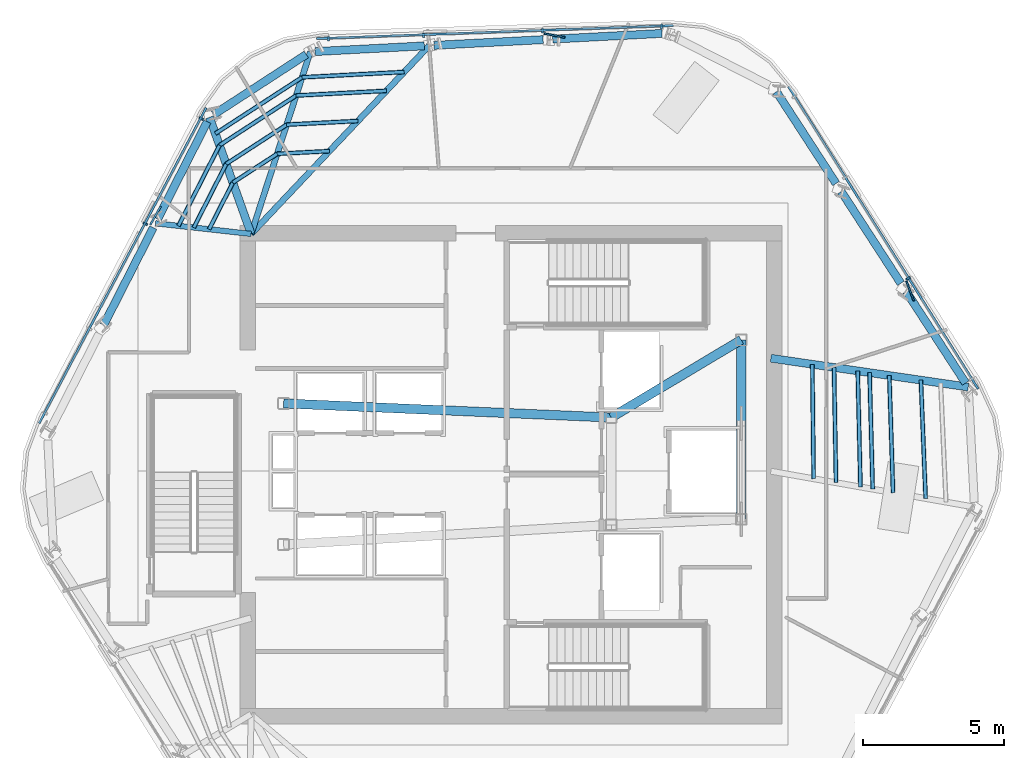
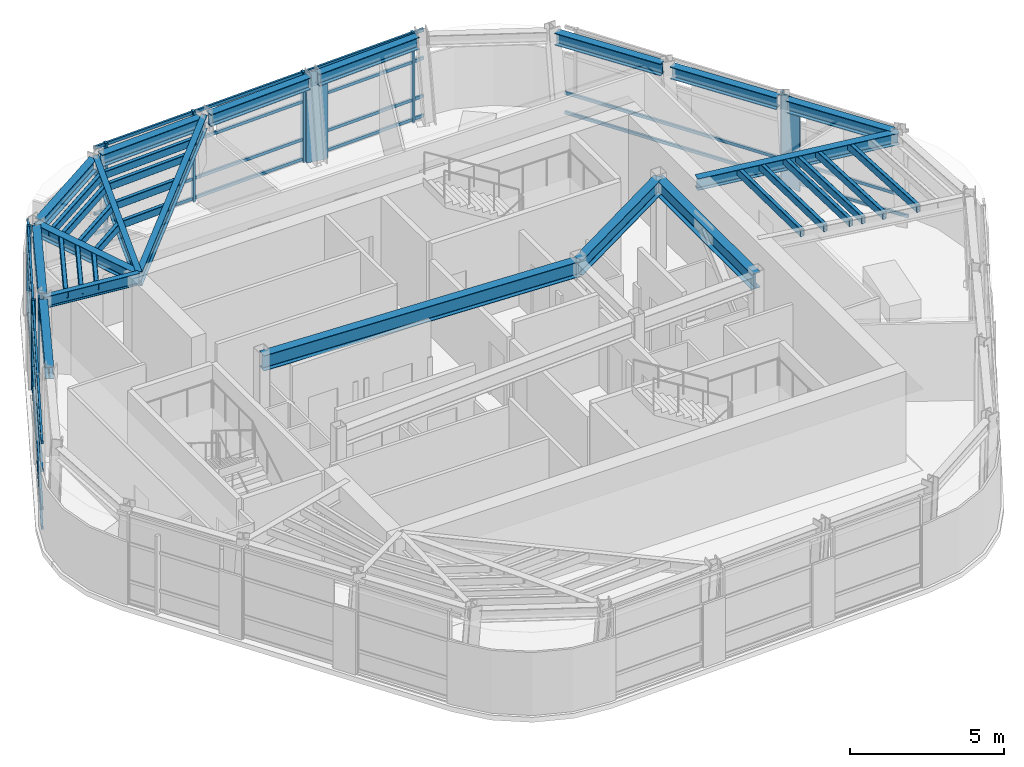
# One storey, part 4 of 13: 37 members, 17 beams, 3 elements without a shape of their own.
"""IFC4 building model written with IfcOpenShell, lengths in metres."""

from ifc_helpers import new_model, si_unit, direction, frame, origin, origin_2d, place, context, subcontext, project, spatial, rectangle, hollow_rectangle, i_section, extrude, material, layer, layer_set, material_profile, profile_set, type_object, element, aggregate, save


model = new_model("IFC4")

# Units and contexts
model_context = context("Model", 3, precision=1e-05, world=origin(), true_north=direction((0.0, 1.0)))
body_context = subcontext(model_context, "Body", "Model", "MODEL_VIEW")
ifc_project = project(units=[si_unit("LENGTHUNIT", "METRE"), si_unit("AREAUNIT", "SQUARE_METRE"), si_unit("VOLUMEUNIT", "CUBIC_METRE"), si_unit("PLANEANGLEUNIT", "RADIAN"), si_unit("MASSUNIT", "GRAM", prefix="KILO")], contexts=[model_context])

# Site, building, storey
site_placement = place(None, origin())
site = spatial("IfcSite", under=ifc_project, at=site_placement, CompositionType="ELEMENT")
building_placement = place(site_placement, origin())
building = spatial("IfcBuilding", under=site, at=building_placement, Name="Valkerne Bourse Tower", CompositionType="ELEMENT")
storey_placement = place(building_placement, frame((0.0, 0.0, 292.60009765625)))
storey = spatial("IfcBuildingStorey", under=building, at=storey_placement, Name="L74", CompositionType="ELEMENT", Elevation=292.60009765625)

# Beams
ifc_material_1 = material(Name="Steel ASTM A992", Category="steel")
ifc_material_profile_1 = material_profile(ifc_material_1, i_section(OverallWidth=0.284423828125, OverallDepth=0.47509765625, WebThickness=0.014892578125, FlangeThickness=0.02392578125, FilletRadius=0.017822265625, at=origin_2d()), Name="W18X106")
ifc_profile_set_1 = profile_set([ifc_material_profile_1], Name="Steel ASTM A992")
beam_type_1 = type_object("IfcBeamType", Name="BM-W18X106", PredefinedType="BEAM", material=ifc_profile_set_1)
beam_1_placement = place(storey_placement, frame((52.14404296875, 42.499755859375, 3.3623046875), z_axis=(-0.998629475435, -0.052337088123, 0.0), x_axis=(0.052337088123, -0.998629475435, 0.0)))
element("IfcBeam", 1, at=beam_1_placement, inside=storey, type_object=beam_type_1, Name="L74 Hexagonal Spandrel Ring Beam 00", PredefinedType="BEAM", context=body_context, shape_type="SweptSolid", body=[
    extrude(i_section(OverallWidth=0.284423828125, OverallDepth=0.47509765625, WebThickness=0.014892578125, FlangeThickness=0.02392578125, FilletRadius=0.017822265625, at=origin_2d()), origin(), (0.0, 0.0, 1.0), 3.871826171875),
])
for number, where, z_axis, x_axis, name in (
    (2, (47.93798828125, 42.279296875, 3.3623046875), (-0.998629648141, -0.052333792648, 0.0), (0.052333792648, -0.998629648141, 0.0), "L74 Hexagonal Spandrel Ring Beam 01"),
    (3, (43.731689453125, 42.058837890625, 3.3623046875), (-0.998629648141, -0.052333792648, 0.0), (0.052333792648, -0.998629648141, 0.0), "L74 Hexagonal Spandrel Ring Beam 02"),
):
    element("IfcBeam", number, at=place(storey_placement, frame(where, z_axis=z_axis, x_axis=x_axis)), inside=storey, type_object=beam_type_1, Name=name, PredefinedType="BEAM", context=body_context, shape_type="SweptSolid", body=[
        extrude(i_section(OverallWidth=0.284423828125, OverallDepth=0.47509765625, WebThickness=0.014892578125, FlangeThickness=0.02392578125, FilletRadius=0.017822265625, at=origin_2d()), origin(), (0.0, 0.0, 1.0), 3.8720703125),
    ])
beam_2_placement = place(storey_placement, frame((39.552490234375, 41.754638671875, 3.3623046875), z_axis=(-0.838657242027, -0.54465955458, 0.0), x_axis=(0.54465955458, -0.838657242027, 0.0)))
element("IfcBeam", 4, at=beam_2_placement, inside=storey, type_object=beam_type_1, Name="L74 Hexagonal Spandrel Ring Beam 03", PredefinedType="BEAM", context=body_context, shape_type="SweptSolid", body=[
    extrude(i_section(OverallWidth=0.284423828125, OverallDepth=0.47509765625, WebThickness=0.014892578125, FlangeThickness=0.02392578125, FilletRadius=0.017822265625, at=origin_2d()), origin(), (0.0, 0.0, 1.0), 3.91552734375),
])
for number, where, z_axis, x_axis, name in (
    (5, (36.048828125, 39.3779296875, 3.3623046875), (-0.453985287381, -0.891009179998, 0.0), (0.891009179998, -0.453985287381, 0.0), "L74 Hexagonal Spandrel Ring Beam 04"),
    (6, (34.13671875, 35.625, 3.3623046875), (-0.453985287381, -0.891009179998, 0.0), (0.891009179998, -0.453985287381, 0.0), "L74 Hexagonal Spandrel Ring Beam 05"),
    (7, (62.895263671875, 30.12158203125, 3.3623046875), (-0.544649217695, 0.838663955148, 0.0), (-0.838663955148, -0.544649217695, 0.0), "L74 Hexagonal Spandrel Ring Beam 20"),
    (8, (60.601318359375, 33.654296875, 3.3623046875), (-0.544693563983, 0.838635153899, 0.0), (-0.838635153899, -0.544693563983, 0.0), "L74 Hexagonal Spandrel Ring Beam 21"),
    (9, (58.30712890625, 37.186767578125, 3.3623046875), (-0.544649217695, 0.838663955148, 0.0), (-0.838663955148, -0.544649217695, 0.0), "L74 Hexagonal Spandrel Ring Beam 22"),
):
    element("IfcBeam", number, at=place(storey_placement, frame(where, z_axis=z_axis, x_axis=x_axis)), inside=storey, type_object=beam_type_1, Name=name, PredefinedType="BEAM", context=body_context, shape_type="SweptSolid", body=[
        extrude(i_section(OverallWidth=0.284423828125, OverallDepth=0.47509765625, WebThickness=0.014892578125, FlangeThickness=0.02392578125, FilletRadius=0.017822265625, at=origin_2d()), origin(), (0.0, 0.0, 1.0), 3.8720703125),
    ])
ifc_material_profile_2 = material_profile(ifc_material_1, i_section(OverallWidth=0.1904296875, OverallDepth=0.457275390625, WebThickness=0.009033203125, FlangeThickness=0.014404296875, FilletRadius=0.01513671875, at=origin_2d()), Name="W18X50")
ifc_profile_set_2 = profile_set([ifc_material_profile_2], Name="Steel ASTM A992")
beam_type_2 = type_object("IfcBeamType", Name="BM-W18X50", PredefinedType="JOIST", material=ifc_profile_set_2)
beam_3_placement = place(storey_placement, frame((34.2138671875, 35.776611328125, 3.371337890625), z_axis=(0.993868870166, -0.110565224706, 0.0), x_axis=(0.110565224706, 0.993868870166, 0.0)))
element("IfcBeam", 10, at=beam_3_placement, inside=storey, type_object=beam_type_2, Name="L74 Radial Composite Floor Beam 05", PredefinedType="JOIST", context=body_context, shape_type="SweptSolid", body=[
    extrude(i_section(OverallWidth=0.1904296875, OverallDepth=0.457275390625, WebThickness=0.009033203125, FlangeThickness=0.014404296875, FilletRadius=0.01513671875, at=origin_2d()), origin(), (0.0, 0.0, 1.0), 3.4072265625),
])
ifc_material_profile_3 = material_profile(ifc_material_1, i_section(OverallWidth=0.279296875, OverallDepth=0.46240234375, WebThickness=0.0107421875, FlangeThickness=0.017333984375, FilletRadius=0.017822265625, at=origin_2d()), Name="W18X76")
ifc_profile_set_3 = profile_set([ifc_material_profile_3], Name="Steel ASTM A992")
beam_type_3 = type_object("IfcBeamType", Name="BM-W18X76", PredefinedType="BEAM", material=ifc_profile_set_3)
beam_4_placement = place(storey_placement, frame((36.126220703125, 39.529541015625, 3.36865234375), z_axis=(0.336135339547, -0.941813693629, 0.0), x_axis=(0.941813693629, 0.336135339547, 0.0)))
element("IfcBeam", 11, at=beam_4_placement, inside=storey, type_object=beam_type_3, Name="L74 Radial Composite Floor Beam 04", PredefinedType="BEAM", context=body_context, shape_type="SweptSolid", body=[
    extrude(i_section(OverallWidth=0.279296875, OverallDepth=0.46240234375, WebThickness=0.0107421875, FlangeThickness=0.017333984375, FilletRadius=0.017822265625, at=origin_2d()), origin(), (0.0, 0.0, 1.0), 4.384765625),
])
beam_5_placement = place(storey_placement, frame((62.98779296875, 29.97900390625, 3.36865234375), z_axis=(-0.989493657062, 0.144576286557, 0.0), x_axis=(-0.144576286557, -0.989493657062, 0.0)))
element("IfcBeam", 12, at=beam_5_placement, inside=storey, type_object=beam_type_3, Name="L74 Radial Composite Floor Beam 20", PredefinedType="BEAM", context=body_context, shape_type="SweptSolid", body=[
    extrude(i_section(OverallWidth=0.279296875, OverallDepth=0.46240234375, WebThickness=0.0107421875, FlangeThickness=0.017333984375, FilletRadius=0.017822265625, at=origin_2d()), origin(), (0.0, 0.0, 1.0), 7.06201171875),
])
ifc_material_profile_4 = material_profile(ifc_material_1, i_section(OverallWidth=0.209228515625, OverallDepth=0.533447265625, WebThickness=0.01025390625, FlangeThickness=0.015625, FilletRadius=0.017822265625, at=origin_2d()), Name="W21X62")
ifc_profile_set_4 = profile_set([ifc_material_profile_4], Name="Steel ASTM A992")
beam_type_4 = type_object("IfcBeamType", Name="BM-W21X62", PredefinedType="JOIST", material=ifc_profile_set_4)
beam_6_placement = place(storey_placement, frame((39.6953125, 41.847412109375, 3.333251953125), z_axis=(-0.309055943338, -0.951043860128, 0.0), x_axis=(0.951043860128, -0.309055943338, 0.0)))
element("IfcBeam", 13, at=beam_6_placement, inside=storey, type_object=beam_type_4, Name="L74 Radial Composite Floor Beam 03", PredefinedType="JOIST", context=body_context, shape_type="SweptSolid", body=[
    extrude(i_section(OverallWidth=0.209228515625, OverallDepth=0.533447265625, WebThickness=0.01025390625, FlangeThickness=0.015625, FilletRadius=0.017822265625, at=origin_2d()), origin(), (0.0, 0.0, 1.0), 6.779296875),
])
ifc_material_profile_5 = material_profile(ifc_material_1, i_section(OverallWidth=0.2138671875, OverallDepth=0.548583984375, WebThickness=0.0146484375, FlangeThickness=0.023681640625, FilletRadius=0.017822265625, at=origin_2d()), Name="W21X93")
ifc_profile_set_5 = profile_set([ifc_material_profile_5], Name="Steel ASTM A992")
beam_type_5 = type_object("IfcBeamType", Name="BM-W21X93", PredefinedType="BEAM", material=ifc_profile_set_5)
beam_7_placement = place(storey_placement, frame((43.9013671875, 42.067626953125, 3.32568359375), z_axis=(-0.686852456534, -0.726796878745, 0.0), x_axis=(0.726796878745, -0.686852456534, 0.0)))
element("IfcBeam", 14, at=beam_7_placement, inside=storey, type_object=beam_type_5, Name="L74 Radial Composite Floor Beam 02", PredefinedType="BEAM", context=body_context, shape_type="SweptSolid", body=[
    extrude(i_section(OverallWidth=0.2138671875, OverallDepth=0.548583984375, WebThickness=0.0146484375, FlangeThickness=0.023681640625, FilletRadius=0.017822265625, at=origin_2d()), origin(), (0.0, 0.0, 1.0), 9.174072265625),
])
ifc_material_profile_6 = material_profile(ifc_material_1, i_section(OverallWidth=0.3251953125, OverallDepth=0.612060546875, WebThickness=0.0126953125, FlangeThickness=0.01904296875, FilletRadius=0.020263671875, at=origin_2d()), Name="W24X104")
ifc_profile_set_6 = profile_set([ifc_material_profile_6], Name="Steel ASTM A992")
beam_type_6 = type_object("IfcBeamType", Name="BM-W24X104", PredefinedType="BEAM", material=ifc_profile_set_6)
beam_8_placement = place(storey_placement, frame((50.35009765625, 28.89990234375, 3.293701171875), z_axis=(0.858307823492, 0.513135148019, 0.0), x_axis=(-0.513135148019, 0.858307823492, 0.0)))
element("IfcBeam", 15, at=beam_8_placement, inside=storey, type_object=beam_type_6, Name="L74 Core Frame Girder CG-NE", PredefinedType="BEAM", context=body_context, shape_type="SweptSolid", body=[
    extrude(i_section(OverallWidth=0.3251953125, OverallDepth=0.612060546875, WebThickness=0.0126953125, FlangeThickness=0.01904296875, FilletRadius=0.020263671875, at=origin_2d()), origin(), (0.0, 0.0, 1.0), 5.359130859375),
])
beam_9_placement = place(storey_placement, frame((54.949951171875, 25.300048828125, 3.293701171875), z_axis=(0.0, 1.0, 0.0), x_axis=(-1.0, 0.0, 0.0)))
element("IfcBeam", 16, at=beam_9_placement, inside=storey, type_object=beam_type_6, Name="L74 Core Frame Girder CG-EE", PredefinedType="BEAM", context=body_context, shape_type="SweptSolid", body=[
    extrude(i_section(OverallWidth=0.3251953125, OverallDepth=0.612060546875, WebThickness=0.0126953125, FlangeThickness=0.01904296875, FilletRadius=0.020263671875, at=origin_2d()), origin(), (0.0, 0.0, 1.0), 6.349853515625),
])
beam_10_placement = place(storey_placement, frame((38.75, 29.39990234375, 3.293701171875), z_axis=(0.999072354402, -0.043063101019, 0.0), x_axis=(0.043063101019, 0.999072354402, 0.0)))
element("IfcBeam", 17, at=beam_10_placement, inside=storey, type_object=beam_type_6, Name="L74 Core Frame Girder CG-NW", PredefinedType="BEAM", context=body_context, shape_type="SweptSolid", body=[
    extrude(i_section(OverallWidth=0.3251953125, OverallDepth=0.612060546875, WebThickness=0.0126953125, FlangeThickness=0.01904296875, FilletRadius=0.020263671875, at=origin_2d()), origin(), (0.0, 0.0, 1.0), 11.61083984375),
])

# Curtain wall, members
ifc_material_2 = material(Name="Aluminium AA 6063-T6", Category="aluminium")
ifc_layer = layer(ifc_material_2, 0.2451171875)
ifc_layer_set = layer_set([ifc_layer], Name="Aluminium AA 6063-T6")
curtain_wall_type = type_object("IfcCurtainWallType", Name="CW-05", PredefinedType="NOTDEFINED", material=ifc_layer_set)
curtain_wall_1_placement = place(storey_placement, origin())
curtain_wall_1 = element("IfcCurtainWall", 18, at=curtain_wall_1_placement, inside=storey, type_object=curtain_wall_type, Name="L74 Hexagonal Stick Curtain Wall Face 1", PredefinedType="NOTDEFINED")
ifc_material_profile_7 = material_profile(ifc_material_2, rectangle(XDim=0.074951171875, YDim=0.159912109375, at=origin_2d()), Name="CWM-75X160")
ifc_profile_set_7 = profile_set([ifc_material_profile_7], Name="Aluminium AA 6063-T6")
member_type_1 = type_object("IfcMemberType", Name="CW-MUL-160X75", PredefinedType="MULLION", material=ifc_profile_set_7)
member_1_placement = place(storey_placement, frame((52.12451171875, 42.744384765625, 0.0), z_axis=(0.0, 0.0, 1.0), x_axis=(-0.999327909938, -0.036656901385, 0.0)))
member_1 = element("IfcMember", 19, at=member_1_placement, type_object=member_type_1, Name="CW-L74-F1 Jamb Mullion 00A", PredefinedType="MULLION", context=body_context, shape_type="SweptSolid", body=[
    extrude(rectangle(XDim=0.074951171875, YDim=0.159912109375, at=origin_2d()), origin(), (0.0, 0.0, 1.0), 3.599853515625),
])
member_2_placement = place(storey_placement, frame((47.915283203125, 42.590087890625, 0.0), z_axis=(0.0, 0.0, 1.0), x_axis=(-0.999328747501, -0.0366340609, 0.0)))
member_2 = element("IfcMember", 20, at=member_2_placement, type_object=member_type_1, Name="CW-L74-F1 Jamb Mullion 01A", PredefinedType="MULLION", context=body_context, shape_type="SweptSolid", body=[
    extrude(rectangle(XDim=0.074951171875, YDim=0.159912109375, at=origin_2d()), origin(), (0.0, 0.0, 1.0), 3.599853515625),
])
member_3_placement = place(storey_placement, frame((43.706298828125, 42.435791015625, 0.0), z_axis=(0.0, 0.0, 1.0), x_axis=(-0.999327909938, -0.036656901385, 0.0)))
member_3 = element("IfcMember", 21, at=member_3_placement, type_object=member_type_1, Name="CW-L74-F1 Jamb Mullion 02A", PredefinedType="MULLION", context=body_context, shape_type="SweptSolid", body=[
    extrude(rectangle(XDim=0.074951171875, YDim=0.159912109375, at=origin_2d()), origin(), (0.0, 0.0, 1.0), 3.599853515625),
])
member_4_placement = place(storey_placement, frame((40.336669921875, 42.312255859375, 0.0), z_axis=(0.0, 0.0, 1.0), x_axis=(-0.999327909938, -0.036656901385, 0.0)))
member_4 = element("IfcMember", 22, at=member_4_placement, type_object=member_type_1, Name="CW-L74-F1 Jamb Mullion 02B", PredefinedType="MULLION", context=body_context, shape_type="SweptSolid", body=[
    extrude(rectangle(XDim=0.074951171875, YDim=0.159912109375, at=origin_2d()), origin(), (0.0, 0.0, 1.0), 3.599853515625),
])

curtain_wall_2_placement = place(storey_placement, origin())
curtain_wall_2 = element("IfcCurtainWall", 23, at=curtain_wall_2_placement, inside=storey, type_object=curtain_wall_type, Name="L74 Hexagonal Stick Curtain Wall Face 2", PredefinedType="NOTDEFINED")
member_5_placement = place(storey_placement, frame((35.827392578125, 39.4833984375, 0.0), z_axis=(0.0, 0.0, 1.0), x_axis=(-0.467946624174, -0.883756729493, 0.0)))
member_5 = element("IfcMember", 24, at=member_5_placement, type_object=member_type_1, Name="CW-L74-F2 Jamb Mullion 00A", PredefinedType="MULLION", context=body_context, shape_type="SweptSolid", body=[
    extrude(rectangle(XDim=0.074951171875, YDim=0.159912109375, at=origin_2d()), origin(), (0.0, 0.0, 1.0), 3.599853515625),
])
member_6_placement = place(storey_placement, frame((33.856201171875, 35.760986328125, 0.0), z_axis=(0.0, 0.0, 1.0), x_axis=(-0.467918263062, -0.883771746037, 0.0)))
member_6 = element("IfcMember", 25, at=member_6_placement, type_object=member_type_1, Name="CW-L74-F2 Jamb Mullion 01A", PredefinedType="MULLION", context=body_context, shape_type="SweptSolid", body=[
    extrude(rectangle(XDim=0.074951171875, YDim=0.159912109375, at=origin_2d()), origin(), (0.0, 0.0, 1.0), 3.599853515625),
])

# Curtain wall, member
curtain_wall_3_placement = place(storey_placement, origin())
curtain_wall_3 = element("IfcCurtainWall", 26, at=curtain_wall_3_placement, inside=storey, type_object=curtain_wall_type, Name="L74 Hexagonal Stick Curtain Wall Face 6", PredefinedType="NOTDEFINED")
member_7_placement = place(storey_placement, frame((60.859130859375, 33.8291015625, 0.0), z_axis=(0.0, 0.0, 1.0), x_axis=(-0.531398207984, 0.847122154445, 0.0)))
member_7 = element("IfcMember", 27, at=member_7_placement, type_object=member_type_1, Name="CW-L74-F6 Jamb Mullion 01A", PredefinedType="MULLION", context=body_context, shape_type="SweptSolid", body=[
    extrude(rectangle(XDim=0.074951171875, YDim=0.159912109375, at=origin_2d()), origin(), (0.0, 0.0, 1.0), 3.599853515625),
])

# Member
ifc_material_profile_8 = material_profile(ifc_material_2, rectangle(XDim=0.074951171875, YDim=0.1201171875, at=origin_2d()), Name="CWT-75X120")
ifc_profile_set_8 = profile_set([ifc_material_profile_8], Name="Aluminium AA 6063-T6")
member_type_2 = type_object("IfcMemberType", Name="CW-TRN-120X75", PredefinedType="USERDEFINED", material=ifc_profile_set_8)
member_8_placement = place(storey_placement, frame((52.543701171875, 42.77978515625, 0.119873046875), z_axis=(-0.999328815608, -0.036632202973, 0.0), x_axis=(0.036632202973, -0.999328815608, 0.0)))
member_8 = element("IfcMember", 28, at=member_8_placement, type_object=member_type_2, Name="CW-L74-F1 Continuous Face Transom 1", ObjectType="TRANSOM", PredefinedType="USERDEFINED", context=body_context, shape_type="SweptSolid", body=[
    extrude(rectangle(XDim=0.074951171875, YDim=0.1201171875, at=origin_2d()), origin(), (0.0, 0.0, 1.0), 12.63623046875),
])

member_9_placement = place(storey_placement, frame((52.543701171875, 42.77978515625, 0.89990234375), z_axis=(-0.999328815608, -0.036632202973, 0.0), x_axis=(0.036632202973, -0.999328815608, 0.0)))
member_9 = element("IfcMember", 29, at=member_9_placement, type_object=member_type_2, Name="CW-L74-F1 Continuous Face Transom 2", ObjectType="TRANSOM", PredefinedType="USERDEFINED", context=body_context, shape_type="SweptSolid", body=[
    extrude(rectangle(XDim=0.074951171875, YDim=0.1201171875, at=origin_2d()), origin(), (0.0, 0.0, 1.0), 12.63623046875),
])

member_10_placement = place(storey_placement, frame((52.543701171875, 42.77978515625, 2.39990234375), z_axis=(-0.999328815608, -0.036632202973, 0.0), x_axis=(0.036632202973, -0.999328815608, 0.0)))
member_10 = element("IfcMember", 30, at=member_10_placement, type_object=member_type_2, Name="CW-L74-F1 Continuous Face Transom 3", ObjectType="TRANSOM", PredefinedType="USERDEFINED", context=body_context, shape_type="SweptSolid", body=[
    extrude(rectangle(XDim=0.074951171875, YDim=0.1201171875, at=origin_2d()), origin(), (0.0, 0.0, 1.0), 12.63623046875),
])

member_11_placement = place(storey_placement, frame((52.543701171875, 42.77978515625, 3.52001953125), z_axis=(-0.999328815608, -0.036632202973, 0.0), x_axis=(0.036632202973, -0.999328815608, 0.0)))
member_11 = element("IfcMember", 31, at=member_11_placement, type_object=member_type_2, Name="CW-L74-F1 Continuous Face Transom 4", ObjectType="TRANSOM", PredefinedType="USERDEFINED", context=body_context, shape_type="SweptSolid", body=[
    extrude(rectangle(XDim=0.074951171875, YDim=0.1201171875, at=origin_2d()), origin(), (0.0, 0.0, 1.0), 12.63623046875),
])

aggregate(curtain_wall_1, [member_8, member_9, member_10, member_11, member_1, member_2, member_3, member_4])

member_12_placement = place(storey_placement, frame((36.006103515625, 39.864013671875, 0.119873046875), z_axis=(-0.467935656735, -0.883762536633, 0.0), x_axis=(0.883762536633, -0.467935656735, 0.0)))
member_12 = element("IfcMember", 32, at=member_12_placement, type_object=member_type_2, Name="CW-L74-F2 Continuous Face Transom 1", ObjectType="TRANSOM", PredefinedType="USERDEFINED", context=body_context, shape_type="SweptSolid", body=[
    extrude(rectangle(XDim=0.074951171875, YDim=0.1201171875, at=origin_2d()), origin(), (0.0, 0.0, 1.0), 12.635986328125),
])

member_13_placement = place(storey_placement, frame((36.006103515625, 39.864013671875, 0.89990234375), z_axis=(-0.467935656735, -0.883762536633, 0.0), x_axis=(0.883762536633, -0.467935656735, 0.0)))
member_13 = element("IfcMember", 33, at=member_13_placement, type_object=member_type_2, Name="CW-L74-F2 Continuous Face Transom 2", ObjectType="TRANSOM", PredefinedType="USERDEFINED", context=body_context, shape_type="SweptSolid", body=[
    extrude(rectangle(XDim=0.074951171875, YDim=0.1201171875, at=origin_2d()), origin(), (0.0, 0.0, 1.0), 12.635986328125),
])

member_14_placement = place(storey_placement, frame((36.006103515625, 39.864013671875, 2.39990234375), z_axis=(-0.467935656735, -0.883762536633, 0.0), x_axis=(0.883762536633, -0.467935656735, 0.0)))
member_14 = element("IfcMember", 34, at=member_14_placement, type_object=member_type_2, Name="CW-L74-F2 Continuous Face Transom 3", ObjectType="TRANSOM", PredefinedType="USERDEFINED", context=body_context, shape_type="SweptSolid", body=[
    extrude(rectangle(XDim=0.074951171875, YDim=0.1201171875, at=origin_2d()), origin(), (0.0, 0.0, 1.0), 12.635986328125),
])

member_15_placement = place(storey_placement, frame((36.006103515625, 39.864013671875, 3.52001953125), z_axis=(-0.467935656735, -0.883762536633, 0.0), x_axis=(0.883762536633, -0.467935656735, 0.0)))
member_15 = element("IfcMember", 35, at=member_15_placement, type_object=member_type_2, Name="CW-L74-F2 Continuous Face Transom 4", ObjectType="TRANSOM", PredefinedType="USERDEFINED", context=body_context, shape_type="SweptSolid", body=[
    extrude(rectangle(XDim=0.074951171875, YDim=0.1201171875, at=origin_2d()), origin(), (0.0, 0.0, 1.0), 12.635986328125),
])

aggregate(curtain_wall_2, [member_12, member_13, member_14, member_15, member_5, member_6])

member_16_placement = place(storey_placement, frame((63.337646484375, 29.915771484375, 0.119873046875), z_axis=(-0.531399735144, 0.847121196458, 0.0), x_axis=(-0.847121196458, -0.531399735144, 0.0)))
member_16 = element("IfcMember", 36, at=member_16_placement, type_object=member_type_2, Name="CW-L74-F6 Continuous Face Transom 1", ObjectType="TRANSOM", PredefinedType="USERDEFINED", context=body_context, shape_type="SweptSolid", body=[
    extrude(rectangle(XDim=0.074951171875, YDim=0.1201171875, at=origin_2d()), origin(), (0.0, 0.0, 1.0), 12.63623046875),
])

member_17_placement = place(storey_placement, frame((63.337646484375, 29.915771484375, 0.89990234375), z_axis=(-0.531399735144, 0.847121196458, 0.0), x_axis=(-0.847121196458, -0.531399735144, 0.0)))
member_17 = element("IfcMember", 37, at=member_17_placement, type_object=member_type_2, Name="CW-L74-F6 Continuous Face Transom 2", ObjectType="TRANSOM", PredefinedType="USERDEFINED", context=body_context, shape_type="SweptSolid", body=[
    extrude(rectangle(XDim=0.074951171875, YDim=0.1201171875, at=origin_2d()), origin(), (0.0, 0.0, 1.0), 12.63623046875),
])

aggregate(curtain_wall_3, [member_16, member_17, member_7])

# Members
ifc_material_3 = material(Name="Bronze Anodised Aluminium AA 6063-T6", Category="aluminium")
ifc_material_profile_9 = material_profile(ifc_material_3, rectangle(XDim=0.06494140625, YDim=0.75, at=origin_2d()), Name="FIN-65X750")
ifc_profile_set_9 = profile_set([ifc_material_profile_9], Name="Bronze Anodised Aluminium AA 6063-T6")
member_type_3 = type_object("IfcMemberType", Name="FIN-SOLAR-650", PredefinedType="USERDEFINED", material=ifc_profile_set_9)
for number, where, z_axis, x_axis, name in (
    (38, (48.341796875, 42.425537109375, 0.00390625), (0.0, 0.0, 1.0), (0.187005966512, 0.982358777886, 0.0), "L74 Bronze Anodised Solar Fin F1-01"),
    (39, (34.2119140625, 36.048095703125, 0.00390625), (0.0, 0.0, 1.0), (-0.869658806483, 0.493653279444, 0.0), "L74 Bronze Anodised Solar Fin F2-01"),
    (40, (60.9296875, 33.377685546875, 0.00390625), (0.0, 0.0, 1.0), (0.934177117536, 0.356809631417, 0.0), "L74 Bronze Anodised Solar Fin F6-01"),
):
    element("IfcMember", number, at=place(storey_placement, frame(where, z_axis=z_axis, x_axis=x_axis)), inside=storey, type_object=member_type_3, Name=name, ObjectType="SOLAR_FIN", PredefinedType="USERDEFINED", context=body_context, shape_type="SweptSolid", body=[
        extrude(rectangle(XDim=0.06494140625, YDim=0.75, at=origin_2d()), origin(), (0.0, 0.0, 1.0), 3.592041015625),
    ])
ifc_material_4 = material(Name="Steel ASTM A500 Grade C", Category="steel")
ifc_material_profile_10 = material_profile(ifc_material_4, hollow_rectangle(XDim=0.14990234375, YDim=0.300048828125, WallThickness=0.012451171875, OuterFilletRadius=0.02490234375, at=origin_2d()), Name="HSS300X150X12.5")
ifc_profile_set_10 = profile_set([ifc_material_profile_10], Name="Steel ASTM A500 Grade C")
member_type_4 = type_object("IfcMemberType", Name="MBR-HSS300X150X12.5", PredefinedType="PURLIN", material=ifc_profile_set_10)
member_18_placement = place(storey_placement, frame((58.307373046875, 26.593505859375, 3.43994140625), z_axis=(-0.017470853504, 0.999847372991, 0.0), x_axis=(-0.999847372991, -0.017470853504, 0.0)))
element("IfcMember", 41, at=member_18_placement, inside=storey, type_object=member_type_4, Name="L74 Secondary Composite Floor Purlin I-19", PredefinedType="PURLIN", context=body_context, shape_type="SweptSolid", body=[
    extrude(hollow_rectangle(XDim=0.14990234375, YDim=0.300048828125, WallThickness=0.012451171875, OuterFilletRadius=0.02490234375, at=origin_2d()), origin(), (0.0, 0.0, 1.0), 4.08056640625),
])
member_19_placement = place(storey_placement, frame((40.37255859375, 38.333740234375, 3.43994140625), z_axis=(-0.998631262263, -0.052302982997, 0.0), x_axis=(0.052302982997, -0.998631262263, 0.0)))
element("IfcMember", 42, at=member_19_placement, inside=storey, type_object=member_type_4, Name="L74 Secondary Composite Floor Purlin K-02", PredefinedType="PURLIN", context=body_context, shape_type="SweptSolid", body=[
    extrude(hollow_rectangle(XDim=0.14990234375, YDim=0.300048828125, WallThickness=0.012451171875, OuterFilletRadius=0.02490234375, at=origin_2d()), origin(), (0.0, 0.0, 1.0), 1.85302734375),
])
member_20_placement = place(storey_placement, frame((38.52197265625, 38.23681640625, 3.43994140625), z_axis=(-0.838708622548, -0.544580431584, 0.0), x_axis=(0.544580431584, -0.838708622548, 0.0)))
element("IfcMember", 43, at=member_20_placement, inside=storey, type_object=member_type_4, Name="L74 Secondary Composite Floor Purlin K-03", PredefinedType="PURLIN", context=body_context, shape_type="SweptSolid", body=[
    extrude(hollow_rectangle(XDim=0.14990234375, YDim=0.300048828125, WallThickness=0.012451171875, OuterFilletRadius=0.02490234375, at=origin_2d()), origin(), (0.0, 0.0, 1.0), 1.87255859375),
])
member_21_placement = place(storey_placement, frame((36.951416015625, 37.217041015625, 3.43994140625), z_axis=(-0.453945514916, -0.891029443671, 0.0), x_axis=(0.891029443671, -0.453945514916, 0.0)))
element("IfcMember", 44, at=member_21_placement, inside=storey, type_object=member_type_4, Name="L74 Secondary Composite Floor Purlin K-04", PredefinedType="PURLIN", context=body_context, shape_type="SweptSolid", body=[
    extrude(hollow_rectangle(XDim=0.14990234375, YDim=0.300048828125, WallThickness=0.012451171875, OuterFilletRadius=0.02490234375, at=origin_2d()), origin(), (0.0, 0.0, 1.0), 1.853271484375),
])
member_22_placement = place(storey_placement, frame((59.172607421875, 26.44091796875, 3.43994140625), z_axis=(-0.023814083296, 0.999716404505, 0.0), x_axis=(-0.999716404505, -0.023814083296, 0.0)))
element("IfcMember", 45, at=member_22_placement, inside=storey, type_object=member_type_4, Name="L74 Secondary Composite Floor Purlin K-19", PredefinedType="PURLIN", context=body_context, shape_type="SweptSolid", body=[
    extrude(hollow_rectangle(XDim=0.14990234375, YDim=0.300048828125, WallThickness=0.012451171875, OuterFilletRadius=0.02490234375, at=origin_2d()), origin(), (0.0, 0.0, 1.0), 4.111083984375),
])
member_23_placement = place(storey_placement, frame((59.605224609375, 26.364501953125, 3.43994140625), z_axis=(-0.026978812651, 0.999636005588, 0.0), x_axis=(-0.999636005588, -0.026978812651, 0.0)))
element("IfcMember", 46, at=member_23_placement, inside=storey, type_object=member_type_4, Name="L74 Secondary Composite Floor Purlin M-19", PredefinedType="PURLIN", context=body_context, shape_type="SweptSolid", body=[
    extrude(hollow_rectangle(XDim=0.14990234375, YDim=0.300048828125, WallThickness=0.012451171875, OuterFilletRadius=0.02490234375, at=origin_2d()), origin(), (0.0, 0.0, 1.0), 4.12646484375),
])
member_24_placement = place(storey_placement, frame((42.38916015625, 40.467529296875, 3.43994140625), z_axis=(-0.998626453703, -0.052394713128, 0.0), x_axis=(0.052394713128, -0.998626453703, 0.0)))
element("IfcMember", 47, at=member_24_placement, inside=storey, type_object=member_type_4, Name="L74 Secondary Composite Floor Purlin O-02", PredefinedType="PURLIN", context=body_context, shape_type="SweptSolid", body=[
    extrude(hollow_rectangle(XDim=0.14990234375, YDim=0.300048828125, WallThickness=0.012451171875, OuterFilletRadius=0.02490234375, at=origin_2d()), origin(), (0.0, 0.0, 1.0), 3.201171875),
])
member_25_placement = place(storey_placement, frame((39.1923828125, 40.2998046875, 3.43994140625), z_axis=(-0.838690143202, -0.544608890577, 0.0), x_axis=(0.544608890577, -0.838690143202, 0.0)))
element("IfcMember", 48, at=member_25_placement, inside=storey, type_object=member_type_4, Name="L74 Secondary Composite Floor Purlin O-03", PredefinedType="PURLIN", context=body_context, shape_type="SweptSolid", body=[
    extrude(hollow_rectangle(XDim=0.14990234375, YDim=0.300048828125, WallThickness=0.012451171875, OuterFilletRadius=0.02490234375, at=origin_2d()), origin(), (0.0, 0.0, 1.0), 3.234375),
])
member_26_placement = place(storey_placement, frame((36.479736328125, 38.538330078125, 3.43994140625), z_axis=(-0.453942918841, -0.891030766267, 0.0), x_axis=(0.891030766267, -0.453942918841, 0.0)))
element("IfcMember", 49, at=member_26_placement, inside=storey, type_object=member_type_4, Name="L74 Secondary Composite Floor Purlin O-04", PredefinedType="PURLIN", context=body_context, shape_type="SweptSolid", body=[
    extrude(hollow_rectangle(XDim=0.14990234375, YDim=0.300048828125, WallThickness=0.012451171875, OuterFilletRadius=0.02490234375, at=origin_2d()), origin(), (0.0, 0.0, 1.0), 3.201171875),
])
member_27_placement = place(storey_placement, frame((61.47998046875, 26.0341796875, 3.43994140625), z_axis=(-0.040347028836, 0.999185727112, 0.0), x_axis=(-0.999185727112, -0.040347028836, 0.0)))
element("IfcMember", 50, at=member_27_placement, inside=storey, type_object=member_type_4, Name="L74 Secondary Composite Floor Purlin O-19", PredefinedType="PURLIN", context=body_context, shape_type="SweptSolid", body=[
    extrude(hollow_rectangle(XDim=0.14990234375, YDim=0.300048828125, WallThickness=0.012451171875, OuterFilletRadius=0.02490234375, at=origin_2d()), origin(), (0.0, 0.0, 1.0), 4.193359375),
])
member_28_placement = place(storey_placement, frame((41.380859375, 39.400634765625, 3.43994140625), z_axis=(-0.998628217706, -0.052361080971, 0.0), x_axis=(0.052361080971, -0.998628217706, 0.0)))
element("IfcMember", 51, at=member_28_placement, inside=storey, type_object=member_type_4, Name="L74 Secondary Composite Floor Purlin Z-02", PredefinedType="PURLIN", context=body_context, shape_type="SweptSolid", body=[
    extrude(hollow_rectangle(XDim=0.14990234375, YDim=0.300048828125, WallThickness=0.012451171875, OuterFilletRadius=0.02490234375, at=origin_2d()), origin(), (0.0, 0.0, 1.0), 2.527099609375),
])
member_29_placement = place(storey_placement, frame((38.857177734375, 39.268310546875, 3.43994140625), z_axis=(-0.838668558848, -0.544642128742, 0.0), x_axis=(0.544642128742, -0.838668558848, 0.0)))
element("IfcMember", 52, at=member_29_placement, inside=storey, type_object=member_type_4, Name="L74 Secondary Composite Floor Purlin Z-03", PredefinedType="PURLIN", context=body_context, shape_type="SweptSolid", body=[
    extrude(hollow_rectangle(XDim=0.14990234375, YDim=0.300048828125, WallThickness=0.012451171875, OuterFilletRadius=0.02490234375, at=origin_2d()), origin(), (0.0, 0.0, 1.0), 2.55322265625),
])
member_30_placement = place(storey_placement, frame((36.7158203125, 37.877685546875, 3.43994140625), z_axis=(-0.454040102756, -0.89098124845, 0.0), x_axis=(0.89098124845, -0.454040102756, 0.0)))
element("IfcMember", 53, at=member_30_placement, inside=storey, type_object=member_type_4, Name="L74 Secondary Composite Floor Purlin Z-04", PredefinedType="PURLIN", context=body_context, shape_type="SweptSolid", body=[
    extrude(hollow_rectangle(XDim=0.14990234375, YDim=0.300048828125, WallThickness=0.012451171875, OuterFilletRadius=0.02490234375, at=origin_2d()), origin(), (0.0, 0.0, 1.0), 2.52734375),
])
member_31_placement = place(storey_placement, frame((60.326416015625, 26.237548828125, 3.43994140625), z_axis=(-0.032222346012, 0.999480725386, 0.0), x_axis=(-0.999480725386, -0.032222346012, 0.0)))
element("IfcMember", 54, at=member_31_placement, inside=storey, type_object=member_type_4, Name="L74 Secondary Composite Floor Purlin Z-19", PredefinedType="PURLIN", context=body_context, shape_type="SweptSolid", body=[
    extrude(hollow_rectangle(XDim=0.14990234375, YDim=0.300048828125, WallThickness=0.012451171875, OuterFilletRadius=0.02490234375, at=origin_2d()), origin(), (0.0, 0.0, 1.0), 4.152099609375),
])
member_32_placement = place(storey_placement, frame((57.51416015625, 26.733154296875, 3.43994140625), z_axis=(-0.011566188144, 0.999933109409, 0.0), x_axis=(-0.999933109409, -0.011566188144, 0.0)))
element("IfcMember", 55, at=member_32_placement, inside=storey, type_object=member_type_4, Name="L74 Secondary Composite Floor Purlin S-19", PredefinedType="PURLIN", context=body_context, shape_type="SweptSolid", body=[
    extrude(hollow_rectangle(XDim=0.14990234375, YDim=0.300048828125, WallThickness=0.012451171875, OuterFilletRadius=0.02490234375, at=origin_2d()), origin(), (0.0, 0.0, 1.0), 4.052734375),
])
member_33_placement = place(storey_placement, frame((43.019287109375, 41.13427734375, 3.43994140625), z_axis=(-0.998627864824, -0.052367810688, 0.0), x_axis=(0.052367810688, -0.998627864824, 0.0)))
element("IfcMember", 56, at=member_33_placement, inside=storey, type_object=member_type_4, Name="L74 Secondary Composite Floor Purlin T-02", PredefinedType="PURLIN", context=body_context, shape_type="SweptSolid", body=[
    extrude(hollow_rectangle(XDim=0.14990234375, YDim=0.300048828125, WallThickness=0.012451171875, OuterFilletRadius=0.02490234375, at=origin_2d()), origin(), (0.0, 0.0, 1.0), 3.622314453125),
])
member_34_placement = place(storey_placement, frame((39.40185546875, 40.944580078125, 3.43994140625), z_axis=(-0.838681301698, -0.544622506129, 0.0), x_axis=(0.544622506129, -0.838681301698, 0.0)))
element("IfcMember", 57, at=member_34_placement, inside=storey, type_object=member_type_4, Name="L74 Secondary Composite Floor Purlin T-03", PredefinedType="PURLIN", context=body_context, shape_type="SweptSolid", body=[
    extrude(hollow_rectangle(XDim=0.14990234375, YDim=0.300048828125, WallThickness=0.012451171875, OuterFilletRadius=0.02490234375, at=origin_2d()), origin(), (0.0, 0.0, 1.0), 3.65966796875),
])

save(model, "model.ifc")
